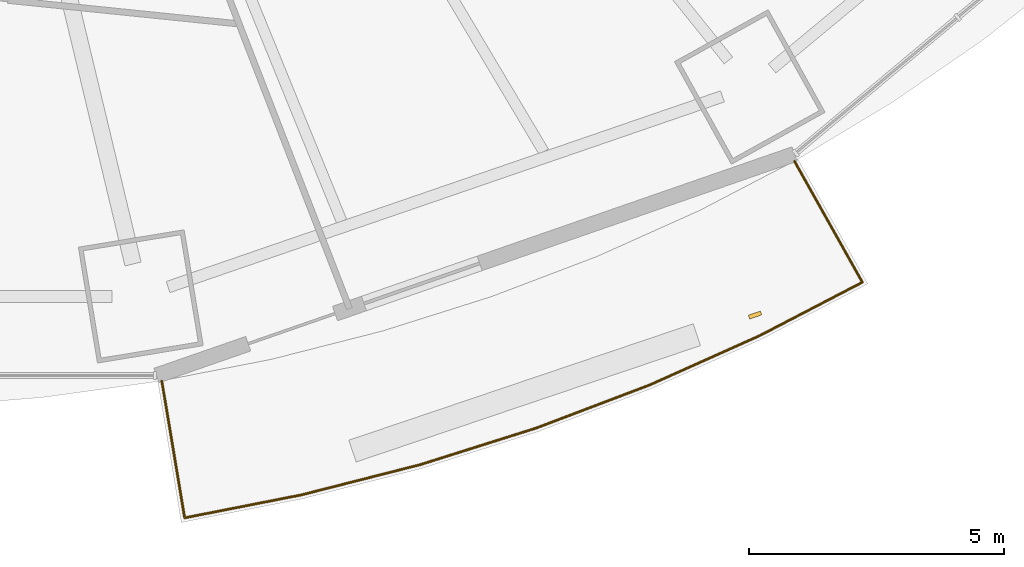
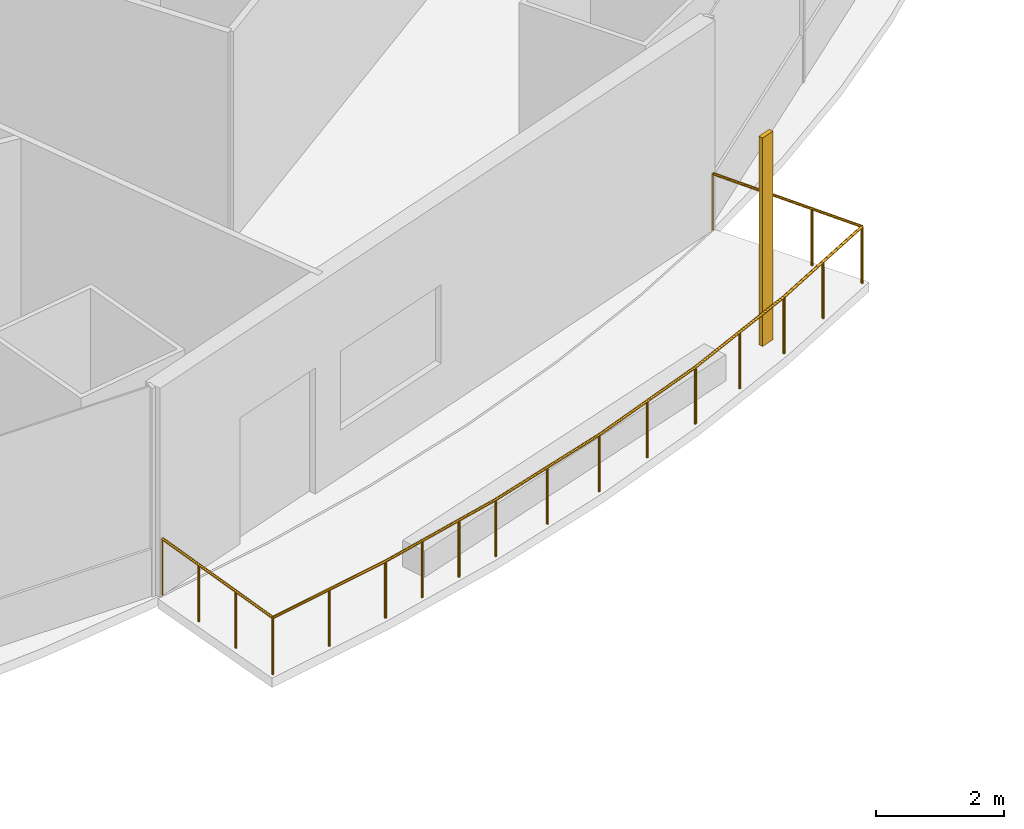
# One storey, part 18 of 22: 1 railing, 1 shading device.
"""IFC4 building model written with IfcOpenShell, lengths in metres."""

from ifc_helpers import new_model, si_unit, direction, frame, origin, origin_2d, place, context, subcontext, project, spatial, rectangle, circle, extrude, material, material_profile, profile_set, type_object, element, save


model = new_model("IFC4")

# Units and contexts
model_context = context("Model", 3, precision=1e-05, world=origin(), true_north=direction((0.0, 1.0)))
body_context = subcontext(model_context, "Body", "Model", "MODEL_VIEW")
ifc_project = project(units=[si_unit("LENGTHUNIT", "METRE"), si_unit("AREAUNIT", "SQUARE_METRE"), si_unit("VOLUMEUNIT", "CUBIC_METRE"), si_unit("PLANEANGLEUNIT", "RADIAN"), si_unit("MASSUNIT", "GRAM", prefix="KILO")], contexts=[model_context])

# Site, building, storey
site_placement = place(None, origin())
site = spatial("IfcSite", under=ifc_project, at=site_placement, CompositionType="ELEMENT")
building_placement = place(site_placement, origin())
building = spatial("IfcBuilding", under=site, at=building_placement, Name="Marenthal Gate Tower", CompositionType="ELEMENT")
storey_placement = place(building_placement, frame((0.0, 0.0, 103.550048828125)))
storey = spatial("IfcBuildingStorey", under=building, at=storey_placement, Name="L21", CompositionType="ELEMENT", Elevation=103.550048828125)

# Railing
ifc_material_1 = material(Name="Stainless steel", Category="steel")
railing_type = type_object("IfcRailingType", Name="Balcony guard 1100", PredefinedType="GUARDRAIL", material=ifc_material_1)
railing_placement = place(storey_placement, frame((19.25732421875, -24.295654296875, 0.0)))
element("IfcRailing", 1, at=railing_placement, inside=storey, type_object=railing_type, Name="Balcony guard L21 bay 13", PredefinedType="GUARDRAIL", context=body_context, shape_type="SweptSolid", body=[
    extrude(circle(Radius=0.02392578125, at=origin_2d()), frame((0.0, 0.0, 1.076171875), z_axis=(0.489129707977, -0.872086857323, -0.014718765524), x_axis=(0.872181338021, 0.489182699621, 0.0)), (0.0, 0.0, 1.0), 2.72021484375),
    extrude(circle(Radius=0.02392578125, at=origin_2d()), frame((1.33056640625, -2.372314453125, 1.0361328125), z_axis=(-0.887149676746, -0.461481799261, 0.0), x_axis=(0.461481799261, -0.887149676746, 0.0)), (0.0, 0.0, 1.0), 2.26318359375),
    extrude(circle(Radius=0.02392578125, at=origin_2d()), frame((-0.67724609375, -3.416748046875, 1.0361328125), z_axis=(-0.91251864488, -0.409035111876, 0.0), x_axis=(0.409035111876, -0.91251864488, 0.0)), (0.0, 0.0, 1.0), 2.360107421875),
    extrude(circle(Radius=0.02392578125, at=origin_2d()), frame((-2.830810546875, -4.382080078125, 1.0361328125), z_axis=(-0.934799959644, -0.355174654852, 0.0), x_axis=(0.355174654852, -0.934799959644, 0.0)), (0.0, 0.0, 1.0), 2.37548828125),
    extrude(circle(Radius=0.02392578125, at=origin_2d()), frame((-5.051513671875, -5.225830078125, 1.0361328125), z_axis=(-0.953610460093, -0.301043336416, 0.0), x_axis=(0.301043336416, -0.953610460093, 0.0)), (0.0, 0.0, 1.0), 2.38916015625),
    extrude(circle(Radius=0.02392578125, at=origin_2d()), frame((-7.329833984375, -5.945068359375, 1.0361328125), z_axis=(-0.969123243842, -0.246576840449, 0.0), x_axis=(0.246576840449, -0.969123243842, 0.0)), (0.0, 0.0, 1.0), 2.401123046875),
    extrude(circle(Radius=0.02392578125, at=origin_2d()), frame((-9.65673828125, -6.537109375, 1.0361328125), z_axis=(-0.981231836587, -0.192831747562, 0.0), x_axis=(0.192831747562, -0.981231836587, 0.0)), (0.0, 0.0, 1.0), 2.330810546875),
    extrude(circle(Radius=0.02392578125, at=origin_2d()), frame((-11.94384765625, -6.986572265625, 1.0361328125), z_axis=(-0.164584914213, 0.986253111889, 0.014717516865), x_axis=(-0.986359943071, -0.164602742092, 0.0)), (0.0, 0.0, 1.0), 2.720458984375),
    extrude(circle(Radius=0.02099609375, at=origin_2d()), origin(), (0.0, 0.0, 1.0), 1.052001953125),
    extrude(circle(Radius=0.02099609375, at=origin_2d()), frame((0.443603515625, -0.790771484375, -0.013427734375)), (0.0, 0.0, 1.0), 1.052001953125),
    extrude(circle(Radius=0.02099609375, at=origin_2d()), frame((0.886962890625, -1.58154296875, -0.026611328125)), (0.0, 0.0, 1.0), 1.052001953125),
    extrude(circle(Radius=0.02099609375, at=origin_2d()), frame((1.33056640625, -2.372314453125, -0.0400390625)), (0.0, 0.0, 1.0), 1.052001953125),
    extrude(circle(Radius=0.02099609375, at=origin_2d()), frame((0.32666015625, -2.89453125, -0.0400390625)), (0.0, 0.0, 1.0), 1.052001953125),
    extrude(circle(Radius=0.02099609375, at=origin_2d()), frame((-0.67724609375, -3.416748046875, -0.0400390625)), (0.0, 0.0, 1.0), 1.052001953125),
    extrude(circle(Radius=0.02099609375, at=origin_2d()), frame((-1.75390625, -3.8994140625, -0.0400390625)), (0.0, 0.0, 1.0), 1.052001953125),
    extrude(circle(Radius=0.02099609375, at=origin_2d()), frame((-2.830810546875, -4.382080078125, -0.0400390625)), (0.0, 0.0, 1.0), 1.052001953125),
    extrude(circle(Radius=0.02099609375, at=origin_2d()), frame((-3.941162109375, -4.803955078125, -0.0400390625)), (0.0, 0.0, 1.0), 1.052001953125),
    extrude(circle(Radius=0.02099609375, at=origin_2d()), frame((-5.051513671875, -5.225830078125, -0.0400390625)), (0.0, 0.0, 1.0), 1.052001953125),
    extrude(circle(Radius=0.02099609375, at=origin_2d()), frame((-6.190673828125, -5.58544921875, -0.0400390625)), (0.0, 0.0, 1.0), 1.052001953125),
    extrude(circle(Radius=0.02099609375, at=origin_2d()), frame((-7.329833984375, -5.945068359375, -0.0400390625)), (0.0, 0.0, 1.0), 1.052001953125),
    extrude(circle(Radius=0.02099609375, at=origin_2d()), frame((-8.10546875, -6.142333984375, -0.0400390625)), (0.0, 0.0, 1.0), 1.052001953125),
    extrude(circle(Radius=0.02099609375, at=origin_2d()), frame((-8.881103515625, -6.33984375, -0.0400390625)), (0.0, 0.0, 1.0), 1.052001953125),
    extrude(circle(Radius=0.02099609375, at=origin_2d()), frame((-9.65673828125, -6.537109375, -0.0400390625)), (0.0, 0.0, 1.0), 1.052001953125),
    extrude(circle(Radius=0.02099609375, at=origin_2d()), frame((-10.80029296875, -6.76171875, -0.0400390625)), (0.0, 0.0, 1.0), 1.052001953125),
    extrude(circle(Radius=0.02099609375, at=origin_2d()), frame((-11.94384765625, -6.986572265625, -0.0400390625)), (0.0, 0.0, 1.0), 1.052001953125),
    extrude(circle(Radius=0.02099609375, at=origin_2d()), frame((-12.093017578125, -6.09228515625, -0.026611328125)), (0.0, 0.0, 1.0), 1.052001953125),
    extrude(circle(Radius=0.02099609375, at=origin_2d()), frame((-12.242431640625, -5.19775390625, -0.013427734375)), (0.0, 0.0, 1.0), 1.052001953125),
    extrude(circle(Radius=0.02099609375, at=origin_2d()), frame((-12.3916015625, -4.303466796875, 0.0)), (0.0, 0.0, 1.0), 1.052001953125),
])

# Shading device
ifc_material_2 = material(Name="Terracotta", Category="masonry")
ifc_material_profile = material_profile(ifc_material_2, rectangle(XDim=0.25, YDim=0.080078125, at=origin_2d()), Name="Terracotta baguette 250x80")
ifc_profile_set = profile_set([ifc_material_profile], Name="Terracotta")
shading_device_type = type_object("IfcShadingDeviceType", Name="Terracotta BAGUETTE SCREEN 250x80", PredefinedType="USERDEFINED", material=ifc_profile_set)
shading_device_placement = place(storey_placement, frame((18.486572265625, -27.31005859375, -0.0400390625), z_axis=(0.0, 0.0, 1.0), x_axis=(0.94461425051, 0.328182750512, 0.0)))
element("IfcShadingDevice", 2, at=shading_device_placement, inside=storey, type_object=shading_device_type, Name="Terracotta BAGUETTE L21 bay 13R", ObjectType="BAGUETTE SCREEN", PredefinedType="USERDEFINED", context=body_context, shape_type="SweptSolid", body=[
    extrude(rectangle(XDim=0.25, YDim=0.080078125, at=origin_2d()), origin(), (0.0, 0.0, 1.0), 3.969970703125),
])

save(model, "model.ifc")
